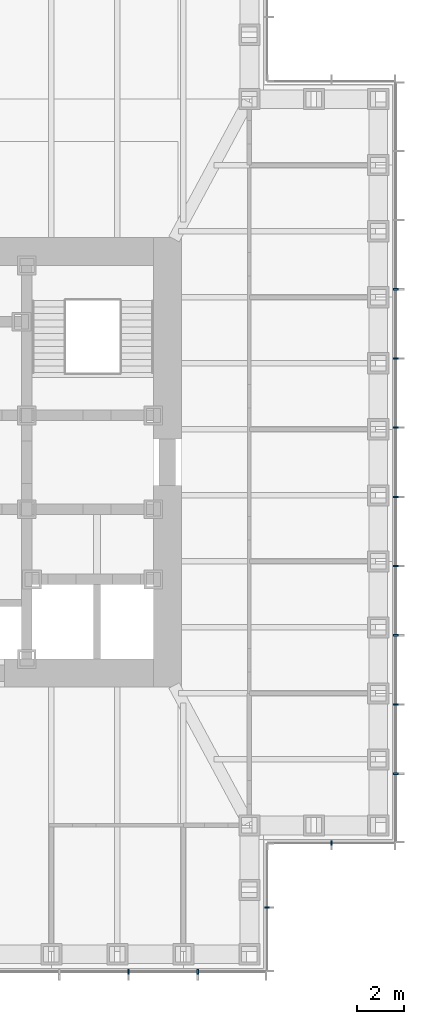
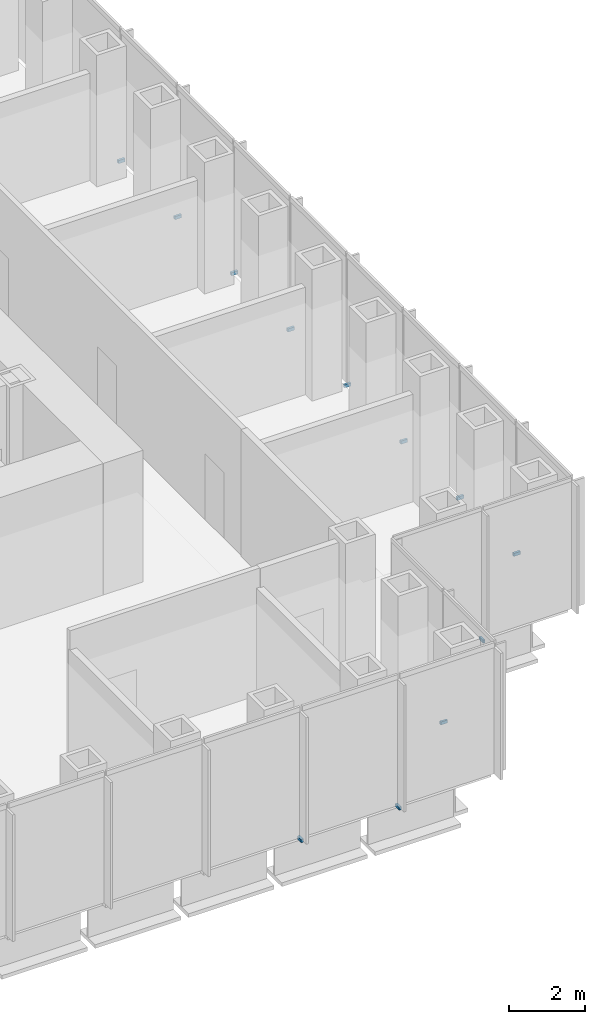
# One storey, part 13 of 16: 12 discrete accessories.
"""IFC4 building model written with IfcOpenShell, lengths in metres."""

from ifc_helpers import new_model, si_unit, direction, frame, origin, origin_2d, place, context, subcontext, project, spatial, rectangle, extrude, element, save


model = new_model("IFC4")

# Units and contexts
model_context = context("Model", 3, precision=1e-05, world=origin(), true_north=direction((0.0, 1.0)))
body_context = subcontext(model_context, "Body", "Model", "MODEL_VIEW")
ifc_project = project(units=[si_unit("LENGTHUNIT", "METRE"), si_unit("AREAUNIT", "SQUARE_METRE"), si_unit("VOLUMEUNIT", "CUBIC_METRE"), si_unit("PLANEANGLEUNIT", "RADIAN"), si_unit("MASSUNIT", "GRAM", prefix="KILO")], contexts=[model_context])

# Site, building, storey
site_placement = place(None, origin())
site = spatial("IfcSite", under=ifc_project, at=site_placement, CompositionType="ELEMENT")
building_placement = place(site_placement, origin())
building = spatial("IfcBuilding", under=site, at=building_placement, Name="Daluyong Arena Tower", CompositionType="ELEMENT")
storey_placement = place(building_placement, frame((0.0, 0.0, 198.10009765625)))
storey = spatial("IfcBuildingStorey", under=building, at=storey_placement, Name="L44", CompositionType="ELEMENT", Elevation=198.10009765625)

# Discrete accessories
for number, where, z_axis, x_axis, name in (
    (1, (66.3408203125, 58.25, -0.10009765625), (0.0, 0.0, 1.0), (1.0, 0.0, 0.0), "curtain wall L44 S anchor bracket 10"),
    (2, (69.29541015625, 58.25, -0.10009765625), (0.0, 0.0, 1.0), (1.0, 0.0, 0.0), "curtain wall L44 S anchor bracket 11"),
):
    element("IfcDiscreteAccessory", number, at=place(storey_placement, frame(where, z_axis=z_axis, x_axis=x_axis)), inside=storey, Name=name, PredefinedType="BRACKET", context=body_context, shape_type="SweptSolid", body=[
        extrude(rectangle(XDim=0.070068359375, YDim=0.199951171875, at=origin_2d()), origin(), (0.0, 0.0, 1.0), 0.10009765625),
    ])
for number, where, z_axis, x_axis, name in (
    (3, (72.25, 61.0, -0.10009765625), (0.0, 0.0, 1.0), (0.0, 1.0, 0.0), "curtain wall L44 SE-E anchor bracket 2"),
    (4, (75.0, 63.75, -0.10009765625), (0.0, 0.0, 1.0), (1.0, 0.0, 0.0), "curtain wall L44 SE-S anchor bracket 2"),
):
    element("IfcDiscreteAccessory", number, at=place(storey_placement, frame(where, z_axis=z_axis, x_axis=x_axis)), inside=storey, Name=name, PredefinedType="BRACKET", context=body_context, shape_type="SweptSolid", body=[
        extrude(rectangle(XDim=0.06005859375, YDim=0.199951171875, at=origin_2d()), origin(), (0.0, 0.0, 1.0), 0.10009765625),
    ])
for number, where, z_axis, x_axis, name in (
    (5, (77.75, 66.70458984375, -0.10009765625), (0.0, 0.0, 1.0), (0.0, 1.0, 0.0), "curtain wall L44 E anchor bracket 2"),
    (6, (77.75, 69.6591796875, -0.10009765625), (0.0, 0.0, 1.0), (0.0, 1.0, 0.0), "curtain wall L44 E anchor bracket 3"),
    (7, (77.75, 72.613525390625, -0.10009765625), (0.0, 0.0, 1.0), (0.0, 1.0, 0.0), "curtain wall L44 E anchor bracket 4"),
    (8, (77.75, 75.568115234375, -0.10009765625), (0.0, 0.0, 1.0), (0.0, 1.0, 0.0), "curtain wall L44 E anchor bracket 5"),
    (9, (77.75, 78.522705078125, -0.10009765625), (0.0, 0.0, 1.0), (0.0, 1.0, 0.0), "curtain wall L44 E anchor bracket 6"),
    (10, (77.75, 81.477294921875, -0.10009765625), (0.0, 0.0, 1.0), (0.0, 1.0, 0.0), "curtain wall L44 E anchor bracket 7"),
    (11, (77.75, 84.431884765625, -0.10009765625), (0.0, 0.0, 1.0), (0.0, 1.0, 0.0), "curtain wall L44 E anchor bracket 8"),
    (12, (77.75, 87.386474609375, -0.10009765625), (0.0, 0.0, 1.0), (0.0, 1.0, 0.0), "curtain wall L44 E anchor bracket 9"),
):
    element("IfcDiscreteAccessory", number, at=place(storey_placement, frame(where, z_axis=z_axis, x_axis=x_axis)), inside=storey, Name=name, PredefinedType="BRACKET", context=body_context, shape_type="SweptSolid", body=[
        extrude(rectangle(XDim=0.070068359375, YDim=0.199951171875, at=origin_2d()), origin(), (0.0, 0.0, 1.0), 0.10009765625),
    ])

save(model, "model.ifc")
